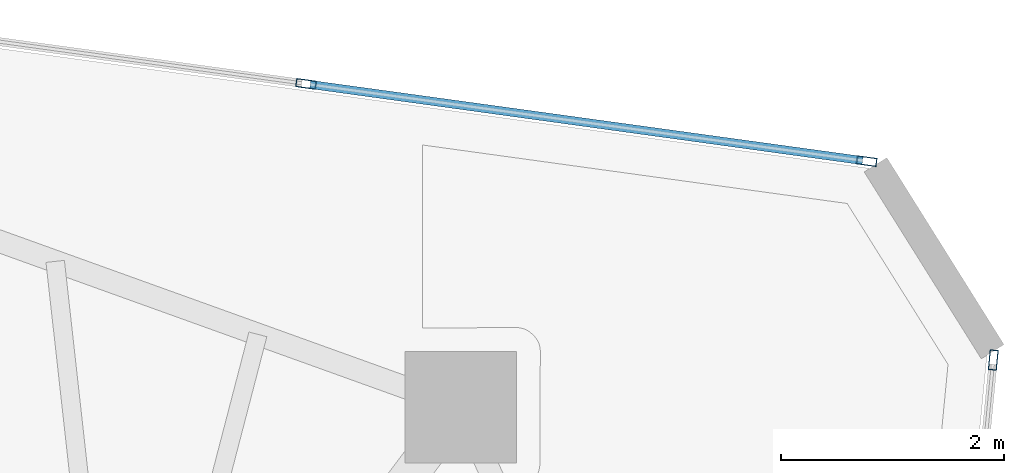
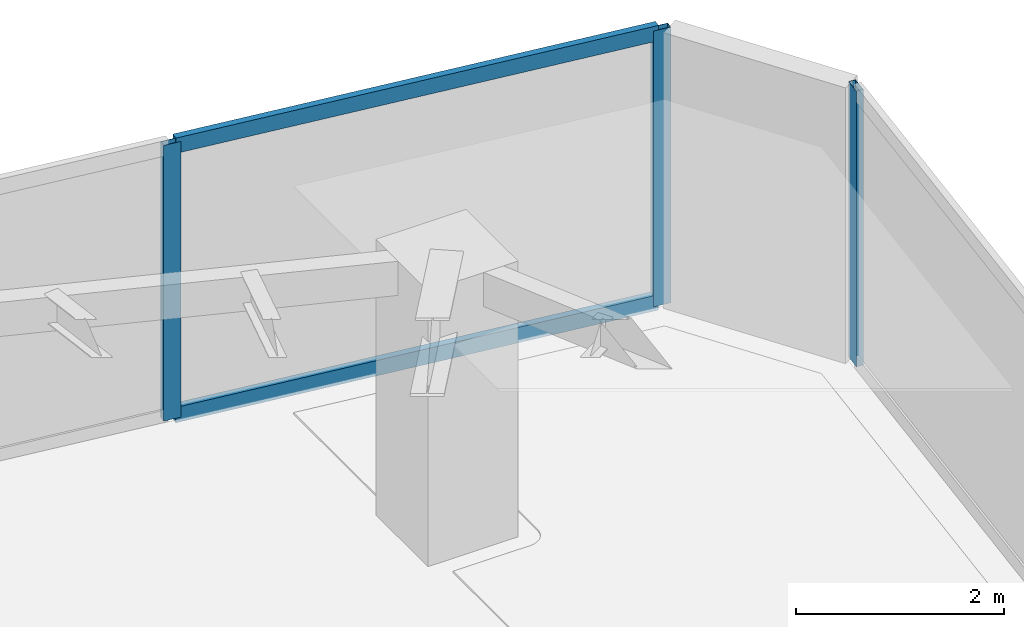
# One storey, part 15 of 20: 5 members, 2 elements without a shape of their own.
"""IFC4 building model written with IfcOpenShell, lengths in metres."""

from ifc_helpers import new_model, si_unit, direction, frame, origin, origin_2d, place, context, subcontext, project, spatial, hollow_rectangle, extrude, source, transform, mapped, material, layer, layer_set, material_profile, profile_set, type_object, type_shapes, element, aggregate, save


model = new_model("IFC4")

# Units and contexts
model_context = context("Model", 3, precision=1e-05, world=origin(), true_north=direction((0.0, 1.0)))
body_context = subcontext(model_context, "Body", "Model", "MODEL_VIEW")
ifc_project = project(units=[si_unit("LENGTHUNIT", "METRE"), si_unit("AREAUNIT", "SQUARE_METRE"), si_unit("VOLUMEUNIT", "CUBIC_METRE"), si_unit("PLANEANGLEUNIT", "RADIAN"), si_unit("MASSUNIT", "GRAM", prefix="KILO")], contexts=[model_context])

# Site, building, storey
site_placement = place(None, origin())
site = spatial("IfcSite", under=ifc_project, at=site_placement, CompositionType="ELEMENT")
building_placement = place(site_placement, origin())
building = spatial("IfcBuilding", under=site, at=building_placement, Name="Talar Marvaseh", CompositionType="ELEMENT")
storey_placement = place(building_placement, frame((0.0, 0.0, 211.699951171875)))
storey = spatial("IfcBuildingStorey", under=building, at=storey_placement, Name="L55", CompositionType="ELEMENT", Elevation=211.699951171875)

# Curtain wall, members
ifc_material = material(Name="Architectural Aluminium", Category="aluminium")
ifc_layer = layer(ifc_material, 0.18994140625)
ifc_layer_set = layer_set([ifc_layer], Name="Architectural Aluminium")
curtain_wall_type = type_object("IfcCurtainWallType", Name="Unitised Solar Atelier Curtain Wall Z3", PredefinedType="NOTDEFINED", material=ifc_layer_set)
curtain_wall_1_placement = place(storey_placement, origin())
curtain_wall_1 = element("IfcCurtainWall", 1, at=curtain_wall_1_placement, inside=storey, type_object=curtain_wall_type, Name="L55 Unitised Solar Atelier Curtain Wall Z3", PredefinedType="NOTDEFINED")
ifc_material_profile_1 = material_profile(ifc_material, hollow_rectangle(XDim=0.074951171875, YDim=0.179931640625, WallThickness=0.0048828125, at=origin_2d()), Name="RHS180x75x5")
ifc_profile_set_1 = profile_set([ifc_material_profile_1], Name="Architectural Aluminium")
member_type_1 = type_object("IfcMemberType", Name="Unitised Curtain Wall Standard Mullion RHS180x75x5", PredefinedType="MULLION", material=ifc_profile_set_1)
shared_shape_1 = source(origin(), body_context, "Body", "SweptSolid", [
    extrude(hollow_rectangle(XDim=0.074951171875, YDim=0.179931640625, WallThickness=0.0048828125, at=origin_2d()), origin(), (0.0, 0.0, 1.0), 3.22998046875),
])
type_shapes(member_type_1, [shared_shape_1])
member_1_placement = place(storey_placement, frame((34.954833984375, 43.84228515625, 0.0), z_axis=(0.0, 0.0, 1.0), x_axis=(0.136514738392, 0.990638039953, 0.0)))
member_1 = element("IfcMember", 2, at=member_1_placement, type_object=member_type_1, Name="CW-Z3 mullion 3", PredefinedType="MULLION", context=body_context, shape_type="MappedRepresentation", body=[
    mapped(shared_shape_1, transform((0.0, 0.0, 0.0), x_axis=(1.0, 0.0, 0.0), y_axis=(0.0, 1.0, 0.0), z_axis=(0.0, 0.0, 1.0), scale=1.0)),
])
member_2_placement = place(storey_placement, frame((39.98291015625, 43.1494140625, 0.0), z_axis=(0.0, 0.0, 1.0), x_axis=(0.136514738392, 0.990638039953, 0.0)))
member_2 = element("IfcMember", 3, at=member_2_placement, type_object=member_type_1, Name="CW-Z3 mullion 4", PredefinedType="MULLION", context=body_context, shape_type="MappedRepresentation", body=[
    mapped(shared_shape_1, transform((0.0, 0.0, 0.0), x_axis=(1.0, 0.0, 0.0), y_axis=(0.0, 1.0, 0.0), z_axis=(0.0, 0.0, 1.0), scale=1.0)),
])

# Curtain wall, member
curtain_wall_2_placement = place(storey_placement, origin())
curtain_wall_2 = element("IfcCurtainWall", 4, at=curtain_wall_2_placement, inside=storey, type_object=curtain_wall_type, Name="L55 Unitised Solar Atelier Curtain Wall Z3", PredefinedType="NOTDEFINED")
member_3_placement = place(storey_placement, frame((41.1181640625, 41.365966796875, 0.0), z_axis=(0.0, 0.0, 1.0), x_axis=(0.995381660069, -0.095996618681, 0.0)))
member_3 = element("IfcMember", 5, at=member_3_placement, type_object=member_type_1, Name="CW-Z3 mullion 1", PredefinedType="MULLION", context=body_context, shape_type="MappedRepresentation", body=[
    mapped(shared_shape_1, transform((0.0, 0.0, 0.0), x_axis=(1.0, 0.0, 0.0), y_axis=(0.0, 1.0, 0.0), z_axis=(0.0, 0.0, 1.0), scale=1.0)),
])
aggregate(curtain_wall_2, [member_3])

# Member
ifc_material_profile_2 = material_profile(ifc_material, hollow_rectangle(XDim=0.074951171875, YDim=0.179931640625, WallThickness=0.0048828125, at=origin_2d()), Name="RHS180x75x5")
ifc_profile_set_2 = profile_set([ifc_material_profile_2], Name="Architectural Aluminium")
member_type_2 = type_object("IfcMemberType", Name="Unitised Curtain Wall Transom RHS180x75x5", PredefinedType="USERDEFINED", material=ifc_profile_set_2)
shared_shape_2 = source(origin(), body_context, "Body", "SweptSolid", [
    extrude(hollow_rectangle(XDim=0.074951171875, YDim=0.179931640625, WallThickness=0.0048828125, at=origin_2d()), origin(), (0.0, 0.0, 1.0), 5.000732421875),
])
type_shapes(member_type_2, [shared_shape_2])
member_4_placement = place(storey_placement, frame((34.991943359375, 43.837158203125, 0.03759765625), z_axis=(0.990639350201, -0.136505230061, 0.0), x_axis=(0.136505230061, 0.990639350201, 0.0)))
member_4 = element("IfcMember", 6, at=member_4_placement, type_object=member_type_2, Name="CW-Z3 transom 3.1", ObjectType="TRANSOM", PredefinedType="USERDEFINED", context=body_context, shape_type="MappedRepresentation", body=[
    mapped(shared_shape_2, transform((0.0, 0.0, 0.0), x_axis=(1.0, 0.0, 0.0), y_axis=(0.0, 1.0, 0.0), z_axis=(0.0, 0.0, 1.0), scale=1.0)),
])

member_5_placement = place(storey_placement, frame((34.991943359375, 43.837158203125, 3.192626953125), z_axis=(0.990639350201, -0.136505230061, 0.0), x_axis=(0.136505230061, 0.990639350201, 0.0)))
member_5 = element("IfcMember", 7, at=member_5_placement, type_object=member_type_2, Name="CW-Z3 transom 3.2", ObjectType="TRANSOM", PredefinedType="USERDEFINED", context=body_context, shape_type="MappedRepresentation", body=[
    mapped(shared_shape_2, transform((0.0, 0.0, 0.0), x_axis=(1.0, 0.0, 0.0), y_axis=(0.0, 1.0, 0.0), z_axis=(0.0, 0.0, 1.0), scale=1.0)),
])

aggregate(curtain_wall_1, [member_1, member_2, member_4, member_5])

save(model, "model.ifc")
